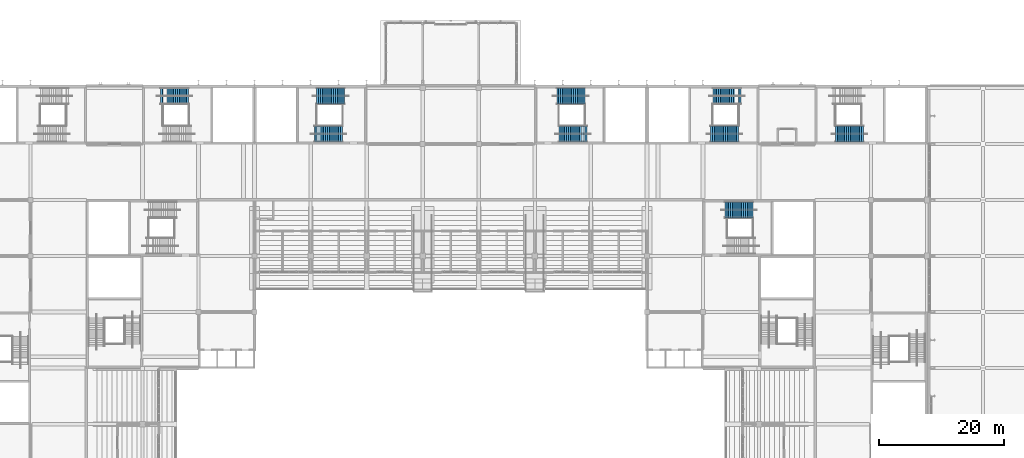
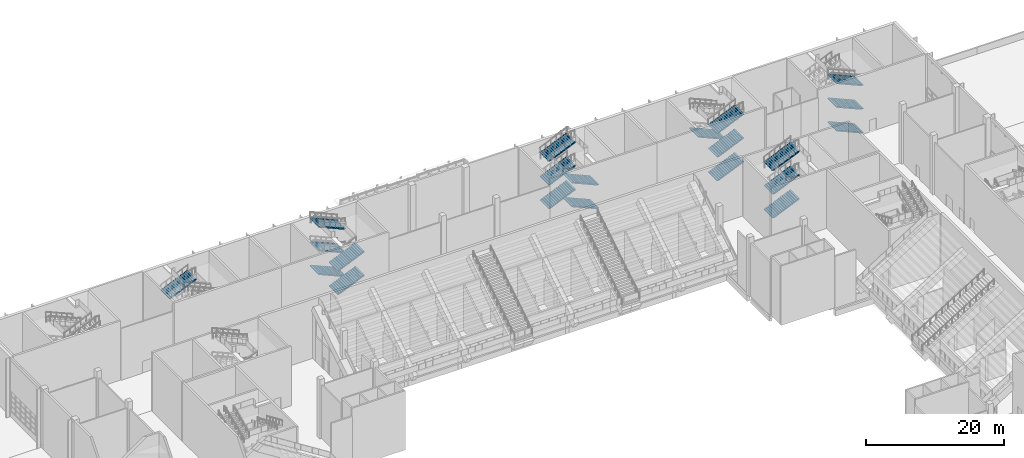
# One storey, part 101 of 182: 21 stair flights, 6 elements without a shape of their own.
"""IFC4 building model written with IfcOpenShell, lengths in metres."""

from ifc_helpers import new_model, si_unit, direction, frame, origin, place, context, subcontext, project, spatial, polyline, outline, extrude, material, type_object, element, aggregate, save


model = new_model("IFC4")

# Units and contexts
model_context = context("Model", 3, precision=1e-05, world=origin(), true_north=direction((0.0, 1.0)))
body_context = subcontext(model_context, "Body", "Model", "MODEL_VIEW")
ifc_project = project(units=[si_unit("LENGTHUNIT", "METRE"), si_unit("AREAUNIT", "SQUARE_METRE"), si_unit("VOLUMEUNIT", "CUBIC_METRE"), si_unit("PLANEANGLEUNIT", "RADIAN"), si_unit("MASSUNIT", "GRAM", prefix="KILO")], contexts=[model_context])

# Site, building, storey
site_placement = place(None, origin())
site = spatial("IfcSite", under=ifc_project, at=site_placement, CompositionType="ELEMENT")
building_placement = place(site_placement, origin())
building = spatial("IfcBuilding", under=site, at=building_placement, Name="Silverbay Arena", CompositionType="ELEMENT")
storey_placement = place(building_placement, frame((0.0, 0.0, 11.5)))
storey = spatial("IfcBuildingStorey", under=building, at=storey_placement, Name="L02", CompositionType="ELEMENT", Elevation=11.5)

# Stair, stair flight
ifc_material_1 = material(Name="Concrete Grade C45", Category="concrete")
stair_type = type_object("IfcStairType", Name="Stair 2600 wide 80 risers 131.2 x 300", PredefinedType="HALF_TURN_STAIR", material=ifc_material_1)
stair_1_placement = place(storey_placement, origin())
stair_1 = element("IfcStair", 1, at=stair_1_placement, inside=storey, type_object=stair_type, Name="Stair ST-N1 L02 to L03", PredefinedType="HALF_TURN_STAIR")
ifc_material_2 = material(Name="Concrete Grade C45", Category="concrete")
stair_flight_type = type_object("IfcStairFlightType", Name="Stair flight 2600 wide 16 risers 131.2 x 300", PredefinedType="STRAIGHT", material=ifc_material_2)
stair_flight_1_placement = place(storey_placement, frame((83.89990234375, 142.699951171875, 6.300048828125), z_axis=(0.0, 0.0, 1.0), x_axis=(1.0, 0.0, 0.0)))
stair_flight_1 = element("IfcStairFlight", 2, at=stair_flight_1_placement, type_object=stair_flight_type, Name="Stair ST-N1 L02 to L03 flight 4", NumberOfRisers=16, NumberOfTreads=15, PredefinedType="STRAIGHT", RiserHeight=0.13125, TreadLength=0.3, context=body_context, shape_type="SweptSolid", body=[
    extrude(outline(polyline([(0.0, 0.0), (0.0, 0.13134765625), (0.300048828125, 0.13134765625), (0.300048828125, 0.262451171875), (0.60009765625, 0.262451171875), (0.60009765625, 0.393798828125), (0.89990234375, 0.393798828125), (0.89990234375, 0.52490234375), (1.199951171875, 0.52490234375), (1.199951171875, 0.65625), (1.5, 0.65625), (1.5, 0.78759765625), (1.800048828125, 0.78759765625), (1.800048828125, 0.918701171875), (2.10009765625, 0.918701171875), (2.10009765625, 1.050048828125), (2.39990234375, 1.050048828125), (2.39990234375, 1.18115234375), (2.699951171875, 1.18115234375), (2.699951171875, 1.3125), (3.0, 1.3125), (3.0, 1.44384765625), (3.300048828125, 1.44384765625), (3.300048828125, 1.574951171875), (3.60009765625, 1.574951171875), (3.60009765625, 1.706298828125), (3.89990234375, 1.706298828125), (3.89990234375, 1.83740234375), (4.199951171875, 1.83740234375), (4.199951171875, 1.96875), (4.5, 1.96875), (4.5, 1.80517578125), (0.3740234375, 0.0), (0.0, 0.0)])), frame((0.0, 1.300048828125, 0.0), z_axis=(0.0, -1.0, 0.0), x_axis=(1.0, 0.0, 0.0)), (0.0, 0.0, 1.0), 2.60009765625),
])
aggregate(stair_1, [stair_flight_1])

# Stair, stair flights
stair_2_placement = place(storey_placement, origin())
stair_2 = element("IfcStair", 3, at=stair_2_placement, inside=storey, type_object=stair_type, Name="Stair ST-N2 L02 to L03", PredefinedType="HALF_TURN_STAIR")
stair_flight_2_placement = place(storey_placement, frame((113.47412109375, 142.699951171875, 0.0), z_axis=(0.0, 0.0, 1.0), x_axis=(-1.0, 0.0, 0.0)))
stair_flight_2 = element("IfcStairFlight", 4, at=stair_flight_2_placement, type_object=stair_flight_type, Name="Stair ST-N2 L02 to L03 flight 1", NumberOfRisers=16, NumberOfTreads=15, PredefinedType="STRAIGHT", RiserHeight=0.13125, TreadLength=0.3, context=body_context, shape_type="SweptSolid", body=[
    extrude(outline(polyline([(0.0, 0.0), (0.0, 0.13134765625), (0.300048828125, 0.13134765625), (0.300048828125, 0.262451171875), (0.60009765625, 0.262451171875), (0.60009765625, 0.393798828125), (0.89990234375, 0.393798828125), (0.89990234375, 0.52490234375), (1.199951171875, 0.52490234375), (1.199951171875, 0.65625), (1.5, 0.65625), (1.5, 0.78759765625), (1.800048828125, 0.78759765625), (1.800048828125, 0.918701171875), (2.10009765625, 0.918701171875), (2.10009765625, 1.050048828125), (2.39990234375, 1.050048828125), (2.39990234375, 1.18115234375), (2.699951171875, 1.18115234375), (2.699951171875, 1.3125), (3.0, 1.3125), (3.0, 1.44384765625), (3.300048828125, 1.44384765625), (3.300048828125, 1.574951171875), (3.60009765625, 1.574951171875), (3.60009765625, 1.706298828125), (3.89990234375, 1.706298828125), (3.89990234375, 1.83740234375), (4.199951171875, 1.83740234375), (4.199951171875, 1.96875), (4.5, 1.96875), (4.5, 1.80517578125), (0.3740234375, 0.0), (0.0, 0.0)])), frame((0.0, 1.300048828125, 0.0), z_axis=(0.0, -1.0, 0.0), x_axis=(1.0, 0.0, 0.0)), (0.0, 0.0, 1.0), 2.60009765625),
])
stair_flight_3_placement = place(storey_placement, frame((108.60009765625, 136.60009765625, 2.10009765625), z_axis=(0.0, 0.0, 1.0), x_axis=(1.0, 0.0, 0.0)))
stair_flight_3 = element("IfcStairFlight", 5, at=stair_flight_3_placement, type_object=stair_flight_type, Name="Stair ST-N2 L02 to L03 flight 2", NumberOfRisers=16, NumberOfTreads=15, PredefinedType="STRAIGHT", RiserHeight=0.13125, TreadLength=0.3, context=body_context, shape_type="SweptSolid", body=[
    extrude(outline(polyline([(0.0, 0.0), (0.0, 0.13134765625), (0.300048828125, 0.13134765625), (0.300048828125, 0.262451171875), (0.60009765625, 0.262451171875), (0.60009765625, 0.393798828125), (0.89990234375, 0.393798828125), (0.89990234375, 0.52490234375), (1.199951171875, 0.52490234375), (1.199951171875, 0.65625), (1.5, 0.65625), (1.5, 0.78759765625), (1.800048828125, 0.78759765625), (1.800048828125, 0.918701171875), (2.10009765625, 0.918701171875), (2.10009765625, 1.050048828125), (2.39990234375, 1.050048828125), (2.39990234375, 1.18115234375), (2.699951171875, 1.18115234375), (2.699951171875, 1.3125), (3.0, 1.3125), (3.0, 1.44384765625), (3.300048828125, 1.44384765625), (3.300048828125, 1.574951171875), (3.60009765625, 1.574951171875), (3.60009765625, 1.706298828125), (3.89990234375, 1.706298828125), (3.89990234375, 1.83740234375), (4.199951171875, 1.83740234375), (4.199951171875, 1.96875), (4.5, 1.96875), (4.5, 1.80517578125), (0.3740234375, 0.0), (0.0, 0.0)])), frame((0.0, 1.300048828125, 0.0), z_axis=(0.0, -1.0, 0.0), x_axis=(1.0, 0.0, 0.0)), (0.0, 0.0, 1.0), 2.60009765625),
])
stair_flight_4_placement = place(storey_placement, frame((113.47412109375, 142.699951171875, 4.199951171875), z_axis=(0.0, 0.0, 1.0), x_axis=(-1.0, 0.0, 0.0)))
stair_flight_4 = element("IfcStairFlight", 6, at=stair_flight_4_placement, type_object=stair_flight_type, Name="Stair ST-N2 L02 to L03 flight 3", NumberOfRisers=16, NumberOfTreads=15, PredefinedType="STRAIGHT", RiserHeight=0.13125, TreadLength=0.3, context=body_context, shape_type="SweptSolid", body=[
    extrude(outline(polyline([(0.0, 0.0), (0.0, 0.13134765625), (0.300048828125, 0.13134765625), (0.300048828125, 0.262451171875), (0.60009765625, 0.262451171875), (0.60009765625, 0.393798828125), (0.89990234375, 0.393798828125), (0.89990234375, 0.52490234375), (1.199951171875, 0.52490234375), (1.199951171875, 0.65625), (1.5, 0.65625), (1.5, 0.78759765625), (1.800048828125, 0.78759765625), (1.800048828125, 0.918701171875), (2.10009765625, 0.918701171875), (2.10009765625, 1.050048828125), (2.39990234375, 1.050048828125), (2.39990234375, 1.18115234375), (2.699951171875, 1.18115234375), (2.699951171875, 1.3125), (3.0, 1.3125), (3.0, 1.44384765625), (3.300048828125, 1.44384765625), (3.300048828125, 1.574951171875), (3.60009765625, 1.574951171875), (3.60009765625, 1.706298828125), (3.89990234375, 1.706298828125), (3.89990234375, 1.83740234375), (4.199951171875, 1.83740234375), (4.199951171875, 1.96875), (4.5, 1.96875), (4.5, 1.80517578125), (0.3740234375, 0.0), (0.0, 0.0)])), frame((0.0, 1.300048828125, 0.0), z_axis=(0.0, -1.0, 0.0), x_axis=(1.0, 0.0, 0.0)), (0.0, 0.0, 1.0), 2.60009765625),
])
stair_flight_5_placement = place(storey_placement, frame((108.60009765625, 136.60009765625, 6.300048828125), z_axis=(0.0, 0.0, 1.0), x_axis=(1.0, 0.0, 0.0)))
stair_flight_5 = element("IfcStairFlight", 7, at=stair_flight_5_placement, type_object=stair_flight_type, Name="Stair ST-N2 L02 to L03 flight 4", NumberOfRisers=16, NumberOfTreads=15, PredefinedType="STRAIGHT", RiserHeight=0.13125, TreadLength=0.3, context=body_context, shape_type="SweptSolid", body=[
    extrude(outline(polyline([(0.0, 0.0), (0.0, 0.13134765625), (0.300048828125, 0.13134765625), (0.300048828125, 0.262451171875), (0.60009765625, 0.262451171875), (0.60009765625, 0.393798828125), (0.89990234375, 0.393798828125), (0.89990234375, 0.52490234375), (1.199951171875, 0.52490234375), (1.199951171875, 0.65625), (1.5, 0.65625), (1.5, 0.78759765625), (1.800048828125, 0.78759765625), (1.800048828125, 0.918701171875), (2.10009765625, 0.918701171875), (2.10009765625, 1.050048828125), (2.39990234375, 1.050048828125), (2.39990234375, 1.18115234375), (2.699951171875, 1.18115234375), (2.699951171875, 1.3125), (3.0, 1.3125), (3.0, 1.44384765625), (3.300048828125, 1.44384765625), (3.300048828125, 1.574951171875), (3.60009765625, 1.574951171875), (3.60009765625, 1.706298828125), (3.89990234375, 1.706298828125), (3.89990234375, 1.83740234375), (4.199951171875, 1.83740234375), (4.199951171875, 1.96875), (4.5, 1.96875), (4.5, 1.80517578125), (0.3740234375, 0.0), (0.0, 0.0)])), frame((0.0, 1.300048828125, 0.0), z_axis=(0.0, -1.0, 0.0), x_axis=(1.0, 0.0, 0.0)), (0.0, 0.0, 1.0), 2.60009765625),
])
stair_flight_6_placement = place(storey_placement, frame((113.47412109375, 142.699951171875, 8.39990234375), z_axis=(0.0, 0.0, 1.0), x_axis=(-1.0, 0.0, 0.0)))
stair_flight_6 = element("IfcStairFlight", 8, at=stair_flight_6_placement, type_object=stair_flight_type, Name="Stair ST-N2 L02 to L03 flight 5", NumberOfRisers=16, NumberOfTreads=15, PredefinedType="STRAIGHT", RiserHeight=0.13125, TreadLength=0.3, context=body_context, shape_type="SweptSolid", body=[
    extrude(outline(polyline([(0.0, 0.0), (0.0, 0.13134765625), (0.300048828125, 0.13134765625), (0.300048828125, 0.262451171875), (0.60009765625, 0.262451171875), (0.60009765625, 0.393798828125), (0.89990234375, 0.393798828125), (0.89990234375, 0.52490234375), (1.199951171875, 0.52490234375), (1.199951171875, 0.65625), (1.5, 0.65625), (1.5, 0.78759765625), (1.800048828125, 0.78759765625), (1.800048828125, 0.918701171875), (2.10009765625, 0.918701171875), (2.10009765625, 1.050048828125), (2.39990234375, 1.050048828125), (2.39990234375, 1.18115234375), (2.699951171875, 1.18115234375), (2.699951171875, 1.3125), (3.0, 1.3125), (3.0, 1.44384765625), (3.300048828125, 1.44384765625), (3.300048828125, 1.574951171875), (3.60009765625, 1.574951171875), (3.60009765625, 1.706298828125), (3.89990234375, 1.706298828125), (3.89990234375, 1.83740234375), (4.199951171875, 1.83740234375), (4.199951171875, 1.96875), (4.5, 1.96875), (4.5, 1.80517578125), (0.3740234375, 0.0), (0.0, 0.0)])), frame((0.0, 1.300048828125, 0.0), z_axis=(0.0, -1.0, 0.0), x_axis=(1.0, 0.0, 0.0)), (0.0, 0.0, 1.0), 2.60009765625),
])
aggregate(stair_2, [stair_flight_2, stair_flight_3, stair_flight_4, stair_flight_5, stair_flight_6])

stair_3_placement = place(storey_placement, origin())
stair_3 = element("IfcStair", 9, at=stair_3_placement, inside=storey, type_object=stair_type, Name="Stair ST-N3 L02 to L03", PredefinedType="HALF_TURN_STAIR")
stair_flight_7_placement = place(storey_placement, frame((147.52587890625, 142.699951171875, 0.0), z_axis=(0.0, 0.0, 1.0), x_axis=(1.0, 0.0, 0.0)))
stair_flight_7 = element("IfcStairFlight", 10, at=stair_flight_7_placement, type_object=stair_flight_type, Name="Stair ST-N3 L02 to L03 flight 1", NumberOfRisers=16, NumberOfTreads=15, PredefinedType="STRAIGHT", RiserHeight=0.13125, TreadLength=0.3, context=body_context, shape_type="SweptSolid", body=[
    extrude(outline(polyline([(0.0, 0.0), (0.0, 0.13134765625), (0.300048828125, 0.13134765625), (0.300048828125, 0.262451171875), (0.60009765625, 0.262451171875), (0.60009765625, 0.393798828125), (0.89990234375, 0.393798828125), (0.89990234375, 0.52490234375), (1.199951171875, 0.52490234375), (1.199951171875, 0.65625), (1.5, 0.65625), (1.5, 0.78759765625), (1.800048828125, 0.78759765625), (1.800048828125, 0.918701171875), (2.10009765625, 0.918701171875), (2.10009765625, 1.050048828125), (2.39990234375, 1.050048828125), (2.39990234375, 1.18115234375), (2.699951171875, 1.18115234375), (2.699951171875, 1.3125), (3.0, 1.3125), (3.0, 1.44384765625), (3.300048828125, 1.44384765625), (3.300048828125, 1.574951171875), (3.60009765625, 1.574951171875), (3.60009765625, 1.706298828125), (3.89990234375, 1.706298828125), (3.89990234375, 1.83740234375), (4.199951171875, 1.83740234375), (4.199951171875, 1.96875), (4.5, 1.96875), (4.5, 1.80517578125), (0.3740234375, 0.0), (0.0, 0.0)])), frame((0.0, 1.300048828125, 0.0), z_axis=(0.0, -1.0, 0.0), x_axis=(1.0, 0.0, 0.0)), (0.0, 0.0, 1.0), 2.60009765625),
])
stair_flight_8_placement = place(storey_placement, frame((152.39990234375, 136.60009765625, 2.10009765625), z_axis=(0.0, 0.0, 1.0), x_axis=(-1.0, 0.0, 0.0)))
stair_flight_8 = element("IfcStairFlight", 11, at=stair_flight_8_placement, type_object=stair_flight_type, Name="Stair ST-N3 L02 to L03 flight 2", NumberOfRisers=16, NumberOfTreads=15, PredefinedType="STRAIGHT", RiserHeight=0.13125, TreadLength=0.3, context=body_context, shape_type="SweptSolid", body=[
    extrude(outline(polyline([(0.0, 0.0), (0.0, 0.13134765625), (0.300048828125, 0.13134765625), (0.300048828125, 0.262451171875), (0.60009765625, 0.262451171875), (0.60009765625, 0.393798828125), (0.89990234375, 0.393798828125), (0.89990234375, 0.52490234375), (1.199951171875, 0.52490234375), (1.199951171875, 0.65625), (1.5, 0.65625), (1.5, 0.78759765625), (1.800048828125, 0.78759765625), (1.800048828125, 0.918701171875), (2.10009765625, 0.918701171875), (2.10009765625, 1.050048828125), (2.39990234375, 1.050048828125), (2.39990234375, 1.18115234375), (2.699951171875, 1.18115234375), (2.699951171875, 1.3125), (3.0, 1.3125), (3.0, 1.44384765625), (3.300048828125, 1.44384765625), (3.300048828125, 1.574951171875), (3.60009765625, 1.574951171875), (3.60009765625, 1.706298828125), (3.89990234375, 1.706298828125), (3.89990234375, 1.83740234375), (4.199951171875, 1.83740234375), (4.199951171875, 1.96875), (4.5, 1.96875), (4.5, 1.80517578125), (0.3740234375, 0.0), (0.0, 0.0)])), frame((0.0, 1.300048828125, 0.0), z_axis=(0.0, -1.0, 0.0), x_axis=(1.0, 0.0, 0.0)), (0.0, 0.0, 1.0), 2.60009765625),
])
stair_flight_9_placement = place(storey_placement, frame((147.52587890625, 142.699951171875, 4.199951171875), z_axis=(0.0, 0.0, 1.0), x_axis=(1.0, 0.0, 0.0)))
stair_flight_9 = element("IfcStairFlight", 12, at=stair_flight_9_placement, type_object=stair_flight_type, Name="Stair ST-N3 L02 to L03 flight 3", NumberOfRisers=16, NumberOfTreads=15, PredefinedType="STRAIGHT", RiserHeight=0.13125, TreadLength=0.3, context=body_context, shape_type="SweptSolid", body=[
    extrude(outline(polyline([(0.0, 0.0), (0.0, 0.13134765625), (0.300048828125, 0.13134765625), (0.300048828125, 0.262451171875), (0.60009765625, 0.262451171875), (0.60009765625, 0.393798828125), (0.89990234375, 0.393798828125), (0.89990234375, 0.52490234375), (1.199951171875, 0.52490234375), (1.199951171875, 0.65625), (1.5, 0.65625), (1.5, 0.78759765625), (1.800048828125, 0.78759765625), (1.800048828125, 0.918701171875), (2.10009765625, 0.918701171875), (2.10009765625, 1.050048828125), (2.39990234375, 1.050048828125), (2.39990234375, 1.18115234375), (2.699951171875, 1.18115234375), (2.699951171875, 1.3125), (3.0, 1.3125), (3.0, 1.44384765625), (3.300048828125, 1.44384765625), (3.300048828125, 1.574951171875), (3.60009765625, 1.574951171875), (3.60009765625, 1.706298828125), (3.89990234375, 1.706298828125), (3.89990234375, 1.83740234375), (4.199951171875, 1.83740234375), (4.199951171875, 1.96875), (4.5, 1.96875), (4.5, 1.80517578125), (0.3740234375, 0.0), (0.0, 0.0)])), frame((0.0, 1.300048828125, 0.0), z_axis=(0.0, -1.0, 0.0), x_axis=(1.0, 0.0, 0.0)), (0.0, 0.0, 1.0), 2.60009765625),
])
stair_flight_10_placement = place(storey_placement, frame((152.39990234375, 136.60009765625, 6.300048828125), z_axis=(0.0, 0.0, 1.0), x_axis=(-1.0, 0.0, 0.0)))
stair_flight_10 = element("IfcStairFlight", 13, at=stair_flight_10_placement, type_object=stair_flight_type, Name="Stair ST-N3 L02 to L03 flight 4", NumberOfRisers=16, NumberOfTreads=15, PredefinedType="STRAIGHT", RiserHeight=0.13125, TreadLength=0.3, context=body_context, shape_type="SweptSolid", body=[
    extrude(outline(polyline([(0.0, 0.0), (0.0, 0.13134765625), (0.300048828125, 0.13134765625), (0.300048828125, 0.262451171875), (0.60009765625, 0.262451171875), (0.60009765625, 0.393798828125), (0.89990234375, 0.393798828125), (0.89990234375, 0.52490234375), (1.199951171875, 0.52490234375), (1.199951171875, 0.65625), (1.5, 0.65625), (1.5, 0.78759765625), (1.800048828125, 0.78759765625), (1.800048828125, 0.918701171875), (2.10009765625, 0.918701171875), (2.10009765625, 1.050048828125), (2.39990234375, 1.050048828125), (2.39990234375, 1.18115234375), (2.699951171875, 1.18115234375), (2.699951171875, 1.3125), (3.0, 1.3125), (3.0, 1.44384765625), (3.300048828125, 1.44384765625), (3.300048828125, 1.574951171875), (3.60009765625, 1.574951171875), (3.60009765625, 1.706298828125), (3.89990234375, 1.706298828125), (3.89990234375, 1.83740234375), (4.199951171875, 1.83740234375), (4.199951171875, 1.96875), (4.5, 1.96875), (4.5, 1.80517578125), (0.3740234375, 0.0), (0.0, 0.0)])), frame((0.0, 1.300048828125, 0.0), z_axis=(0.0, -1.0, 0.0), x_axis=(1.0, 0.0, 0.0)), (0.0, 0.0, 1.0), 2.60009765625),
])
stair_flight_11_placement = place(storey_placement, frame((147.52587890625, 142.699951171875, 8.39990234375), z_axis=(0.0, 0.0, 1.0), x_axis=(1.0, 0.0, 0.0)))
stair_flight_11 = element("IfcStairFlight", 14, at=stair_flight_11_placement, type_object=stair_flight_type, Name="Stair ST-N3 L02 to L03 flight 5", NumberOfRisers=16, NumberOfTreads=15, PredefinedType="STRAIGHT", RiserHeight=0.13125, TreadLength=0.3, context=body_context, shape_type="SweptSolid", body=[
    extrude(outline(polyline([(0.0, 0.0), (0.0, 0.13134765625), (0.300048828125, 0.13134765625), (0.300048828125, 0.262451171875), (0.60009765625, 0.262451171875), (0.60009765625, 0.393798828125), (0.89990234375, 0.393798828125), (0.89990234375, 0.52490234375), (1.199951171875, 0.52490234375), (1.199951171875, 0.65625), (1.5, 0.65625), (1.5, 0.78759765625), (1.800048828125, 0.78759765625), (1.800048828125, 0.918701171875), (2.10009765625, 0.918701171875), (2.10009765625, 1.050048828125), (2.39990234375, 1.050048828125), (2.39990234375, 1.18115234375), (2.699951171875, 1.18115234375), (2.699951171875, 1.3125), (3.0, 1.3125), (3.0, 1.44384765625), (3.300048828125, 1.44384765625), (3.300048828125, 1.574951171875), (3.60009765625, 1.574951171875), (3.60009765625, 1.706298828125), (3.89990234375, 1.706298828125), (3.89990234375, 1.83740234375), (4.199951171875, 1.83740234375), (4.199951171875, 1.96875), (4.5, 1.96875), (4.5, 1.80517578125), (0.3740234375, 0.0), (0.0, 0.0)])), frame((0.0, 1.300048828125, 0.0), z_axis=(0.0, -1.0, 0.0), x_axis=(1.0, 0.0, 0.0)), (0.0, 0.0, 1.0), 2.60009765625),
])
aggregate(stair_3, [stair_flight_7, stair_flight_8, stair_flight_9, stair_flight_10, stair_flight_11])

stair_4_placement = place(storey_placement, origin())
stair_4 = element("IfcStair", 15, at=stair_4_placement, inside=storey, type_object=stair_type, Name="Stair ST-N4 L02 to L03", PredefinedType="HALF_TURN_STAIR")
stair_flight_12_placement = place(storey_placement, frame((172.225830078125, 136.60009765625, 0.0), z_axis=(0.0, 0.0, 1.0), x_axis=(1.0, 0.0, 0.0)))
stair_flight_12 = element("IfcStairFlight", 16, at=stair_flight_12_placement, type_object=stair_flight_type, Name="Stair ST-N4 L02 to L03 flight 1", NumberOfRisers=16, NumberOfTreads=15, PredefinedType="STRAIGHT", RiserHeight=0.13125, TreadLength=0.3, context=body_context, shape_type="SweptSolid", body=[
    extrude(outline(polyline([(0.0, 0.0), (0.0, 0.13134765625), (0.300048828125, 0.13134765625), (0.300048828125, 0.262451171875), (0.60009765625, 0.262451171875), (0.60009765625, 0.393798828125), (0.89990234375, 0.393798828125), (0.89990234375, 0.52490234375), (1.199951171875, 0.52490234375), (1.199951171875, 0.65625), (1.5, 0.65625), (1.5, 0.78759765625), (1.800048828125, 0.78759765625), (1.800048828125, 0.918701171875), (2.10009765625, 0.918701171875), (2.10009765625, 1.050048828125), (2.39990234375, 1.050048828125), (2.39990234375, 1.18115234375), (2.699951171875, 1.18115234375), (2.699951171875, 1.3125), (3.0, 1.3125), (3.0, 1.44384765625), (3.300048828125, 1.44384765625), (3.300048828125, 1.574951171875), (3.60009765625, 1.574951171875), (3.60009765625, 1.706298828125), (3.89990234375, 1.706298828125), (3.89990234375, 1.83740234375), (4.199951171875, 1.83740234375), (4.199951171875, 1.96875), (4.5, 1.96875), (4.5, 1.80517578125), (0.3740234375, 0.0), (0.0, 0.0)])), frame((0.0, 1.300048828125, 0.0), z_axis=(0.0, -1.0, 0.0), x_axis=(1.0, 0.0, 0.0)), (0.0, 0.0, 1.0), 2.60009765625),
])
stair_flight_13_placement = place(storey_placement, frame((177.10009765625, 142.699951171875, 2.10009765625), z_axis=(0.0, 0.0, 1.0), x_axis=(-1.0, 0.0, 0.0)))
stair_flight_13 = element("IfcStairFlight", 17, at=stair_flight_13_placement, type_object=stair_flight_type, Name="Stair ST-N4 L02 to L03 flight 2", NumberOfRisers=16, NumberOfTreads=15, PredefinedType="STRAIGHT", RiserHeight=0.13125, TreadLength=0.3, context=body_context, shape_type="SweptSolid", body=[
    extrude(outline(polyline([(0.0, 0.0), (0.0, 0.13134765625), (0.300048828125, 0.13134765625), (0.300048828125, 0.262451171875), (0.60009765625, 0.262451171875), (0.60009765625, 0.393798828125), (0.89990234375, 0.393798828125), (0.89990234375, 0.52490234375), (1.199951171875, 0.52490234375), (1.199951171875, 0.65625), (1.5, 0.65625), (1.5, 0.78759765625), (1.800048828125, 0.78759765625), (1.800048828125, 0.918701171875), (2.10009765625, 0.918701171875), (2.10009765625, 1.050048828125), (2.39990234375, 1.050048828125), (2.39990234375, 1.18115234375), (2.699951171875, 1.18115234375), (2.699951171875, 1.3125), (3.0, 1.3125), (3.0, 1.44384765625), (3.300048828125, 1.44384765625), (3.300048828125, 1.574951171875), (3.60009765625, 1.574951171875), (3.60009765625, 1.706298828125), (3.89990234375, 1.706298828125), (3.89990234375, 1.83740234375), (4.199951171875, 1.83740234375), (4.199951171875, 1.96875), (4.5, 1.96875), (4.5, 1.80517578125), (0.3740234375, 0.0), (0.0, 0.0)])), frame((0.0, 1.300048828125, 0.0), z_axis=(0.0, -1.0, 0.0), x_axis=(1.0, 0.0, 0.0)), (0.0, 0.0, 1.0), 2.60009765625),
])
stair_flight_14_placement = place(storey_placement, frame((172.225830078125, 136.60009765625, 4.199951171875), z_axis=(0.0, 0.0, 1.0), x_axis=(1.0, 0.0, 0.0)))
stair_flight_14 = element("IfcStairFlight", 18, at=stair_flight_14_placement, type_object=stair_flight_type, Name="Stair ST-N4 L02 to L03 flight 3", NumberOfRisers=16, NumberOfTreads=15, PredefinedType="STRAIGHT", RiserHeight=0.13125, TreadLength=0.3, context=body_context, shape_type="SweptSolid", body=[
    extrude(outline(polyline([(0.0, 0.0), (0.0, 0.13134765625), (0.300048828125, 0.13134765625), (0.300048828125, 0.262451171875), (0.60009765625, 0.262451171875), (0.60009765625, 0.393798828125), (0.89990234375, 0.393798828125), (0.89990234375, 0.52490234375), (1.199951171875, 0.52490234375), (1.199951171875, 0.65625), (1.5, 0.65625), (1.5, 0.78759765625), (1.800048828125, 0.78759765625), (1.800048828125, 0.918701171875), (2.10009765625, 0.918701171875), (2.10009765625, 1.050048828125), (2.39990234375, 1.050048828125), (2.39990234375, 1.18115234375), (2.699951171875, 1.18115234375), (2.699951171875, 1.3125), (3.0, 1.3125), (3.0, 1.44384765625), (3.300048828125, 1.44384765625), (3.300048828125, 1.574951171875), (3.60009765625, 1.574951171875), (3.60009765625, 1.706298828125), (3.89990234375, 1.706298828125), (3.89990234375, 1.83740234375), (4.199951171875, 1.83740234375), (4.199951171875, 1.96875), (4.5, 1.96875), (4.5, 1.80517578125), (0.3740234375, 0.0), (0.0, 0.0)])), frame((0.0, 1.300048828125, 0.0), z_axis=(0.0, -1.0, 0.0), x_axis=(1.0, 0.0, 0.0)), (0.0, 0.0, 1.0), 2.60009765625),
])
stair_flight_15_placement = place(storey_placement, frame((172.225830078125, 136.60009765625, 8.39990234375), z_axis=(0.0, 0.0, 1.0), x_axis=(1.0, 0.0, 0.0)))
stair_flight_15 = element("IfcStairFlight", 19, at=stair_flight_15_placement, type_object=stair_flight_type, Name="Stair ST-N4 L02 to L03 flight 5", NumberOfRisers=16, NumberOfTreads=15, PredefinedType="STRAIGHT", RiserHeight=0.13125, TreadLength=0.3, context=body_context, shape_type="SweptSolid", body=[
    extrude(outline(polyline([(0.0, 0.0), (0.0, 0.13134765625), (0.300048828125, 0.13134765625), (0.300048828125, 0.262451171875), (0.60009765625, 0.262451171875), (0.60009765625, 0.393798828125), (0.89990234375, 0.393798828125), (0.89990234375, 0.52490234375), (1.199951171875, 0.52490234375), (1.199951171875, 0.65625), (1.5, 0.65625), (1.5, 0.78759765625), (1.800048828125, 0.78759765625), (1.800048828125, 0.918701171875), (2.10009765625, 0.918701171875), (2.10009765625, 1.050048828125), (2.39990234375, 1.050048828125), (2.39990234375, 1.18115234375), (2.699951171875, 1.18115234375), (2.699951171875, 1.3125), (3.0, 1.3125), (3.0, 1.44384765625), (3.300048828125, 1.44384765625), (3.300048828125, 1.574951171875), (3.60009765625, 1.574951171875), (3.60009765625, 1.706298828125), (3.89990234375, 1.706298828125), (3.89990234375, 1.83740234375), (4.199951171875, 1.83740234375), (4.199951171875, 1.96875), (4.5, 1.96875), (4.5, 1.80517578125), (0.3740234375, 0.0), (0.0, 0.0)])), frame((0.0, 1.300048828125, 0.0), z_axis=(0.0, -1.0, 0.0), x_axis=(1.0, 0.0, 0.0)), (0.0, 0.0, 1.0), 2.60009765625),
])
aggregate(stair_4, [stair_flight_12, stair_flight_13, stair_flight_14, stair_flight_15])

stair_5_placement = place(storey_placement, origin())
stair_5 = element("IfcStair", 20, at=stair_5_placement, inside=storey, type_object=stair_type, Name="Stair ST-N6 L02 to L03", PredefinedType="HALF_TURN_STAIR")
stair_flight_16_placement = place(storey_placement, frame((196.774169921875, 136.60009765625, 0.0), z_axis=(0.0, 0.0, 1.0), x_axis=(-1.0, 0.0, 0.0)))
stair_flight_16 = element("IfcStairFlight", 21, at=stair_flight_16_placement, type_object=stair_flight_type, Name="Stair ST-N6 L02 to L03 flight 1", NumberOfRisers=16, NumberOfTreads=15, PredefinedType="STRAIGHT", RiserHeight=0.13125, TreadLength=0.3, context=body_context, shape_type="SweptSolid", body=[
    extrude(outline(polyline([(0.0, 0.0), (0.0, 0.13134765625), (0.300048828125, 0.13134765625), (0.300048828125, 0.262451171875), (0.60009765625, 0.262451171875), (0.60009765625, 0.393798828125), (0.89990234375, 0.393798828125), (0.89990234375, 0.52490234375), (1.199951171875, 0.52490234375), (1.199951171875, 0.65625), (1.5, 0.65625), (1.5, 0.78759765625), (1.800048828125, 0.78759765625), (1.800048828125, 0.918701171875), (2.10009765625, 0.918701171875), (2.10009765625, 1.050048828125), (2.39990234375, 1.050048828125), (2.39990234375, 1.18115234375), (2.699951171875, 1.18115234375), (2.699951171875, 1.3125), (3.0, 1.3125), (3.0, 1.44384765625), (3.300048828125, 1.44384765625), (3.300048828125, 1.574951171875), (3.60009765625, 1.574951171875), (3.60009765625, 1.706298828125), (3.89990234375, 1.706298828125), (3.89990234375, 1.83740234375), (4.199951171875, 1.83740234375), (4.199951171875, 1.96875), (4.5, 1.96875), (4.5, 1.80517578125), (0.3740234375, 0.0), (0.0, 0.0)])), frame((0.0, 1.300048828125, 0.0), z_axis=(0.0, -1.0, 0.0), x_axis=(1.0, 0.0, 0.0)), (0.0, 0.0, 1.0), 2.60009765625),
])
stair_flight_17_placement = place(storey_placement, frame((196.774169921875, 136.60009765625, 4.199951171875), z_axis=(0.0, 0.0, 1.0), x_axis=(-1.0, 0.0, 0.0)))
stair_flight_17 = element("IfcStairFlight", 22, at=stair_flight_17_placement, type_object=stair_flight_type, Name="Stair ST-N6 L02 to L03 flight 3", NumberOfRisers=16, NumberOfTreads=15, PredefinedType="STRAIGHT", RiserHeight=0.13125, TreadLength=0.3, context=body_context, shape_type="SweptSolid", body=[
    extrude(outline(polyline([(0.0, 0.0), (0.0, 0.13134765625), (0.300048828125, 0.13134765625), (0.300048828125, 0.262451171875), (0.60009765625, 0.262451171875), (0.60009765625, 0.393798828125), (0.89990234375, 0.393798828125), (0.89990234375, 0.52490234375), (1.199951171875, 0.52490234375), (1.199951171875, 0.65625), (1.5, 0.65625), (1.5, 0.78759765625), (1.800048828125, 0.78759765625), (1.800048828125, 0.918701171875), (2.10009765625, 0.918701171875), (2.10009765625, 1.050048828125), (2.39990234375, 1.050048828125), (2.39990234375, 1.18115234375), (2.699951171875, 1.18115234375), (2.699951171875, 1.3125), (3.0, 1.3125), (3.0, 1.44384765625), (3.300048828125, 1.44384765625), (3.300048828125, 1.574951171875), (3.60009765625, 1.574951171875), (3.60009765625, 1.706298828125), (3.89990234375, 1.706298828125), (3.89990234375, 1.83740234375), (4.199951171875, 1.83740234375), (4.199951171875, 1.96875), (4.5, 1.96875), (4.5, 1.80517578125), (0.3740234375, 0.0), (0.0, 0.0)])), frame((0.0, 1.300048828125, 0.0), z_axis=(0.0, -1.0, 0.0), x_axis=(1.0, 0.0, 0.0)), (0.0, 0.0, 1.0), 2.60009765625),
])
stair_flight_18_placement = place(storey_placement, frame((196.774169921875, 136.60009765625, 8.39990234375), z_axis=(0.0, 0.0, 1.0), x_axis=(-1.0, 0.0, 0.0)))
stair_flight_18 = element("IfcStairFlight", 23, at=stair_flight_18_placement, type_object=stair_flight_type, Name="Stair ST-N6 L02 to L03 flight 5", NumberOfRisers=16, NumberOfTreads=15, PredefinedType="STRAIGHT", RiserHeight=0.13125, TreadLength=0.3, context=body_context, shape_type="SweptSolid", body=[
    extrude(outline(polyline([(0.0, 0.0), (0.0, 0.13134765625), (0.300048828125, 0.13134765625), (0.300048828125, 0.262451171875), (0.60009765625, 0.262451171875), (0.60009765625, 0.393798828125), (0.89990234375, 0.393798828125), (0.89990234375, 0.52490234375), (1.199951171875, 0.52490234375), (1.199951171875, 0.65625), (1.5, 0.65625), (1.5, 0.78759765625), (1.800048828125, 0.78759765625), (1.800048828125, 0.918701171875), (2.10009765625, 0.918701171875), (2.10009765625, 1.050048828125), (2.39990234375, 1.050048828125), (2.39990234375, 1.18115234375), (2.699951171875, 1.18115234375), (2.699951171875, 1.3125), (3.0, 1.3125), (3.0, 1.44384765625), (3.300048828125, 1.44384765625), (3.300048828125, 1.574951171875), (3.60009765625, 1.574951171875), (3.60009765625, 1.706298828125), (3.89990234375, 1.706298828125), (3.89990234375, 1.83740234375), (4.199951171875, 1.83740234375), (4.199951171875, 1.96875), (4.5, 1.96875), (4.5, 1.80517578125), (0.3740234375, 0.0), (0.0, 0.0)])), frame((0.0, 1.300048828125, 0.0), z_axis=(0.0, -1.0, 0.0), x_axis=(1.0, 0.0, 0.0)), (0.0, 0.0, 1.0), 2.60009765625),
])
aggregate(stair_5, [stair_flight_16, stair_flight_17, stair_flight_18])

stair_6_placement = place(storey_placement, origin())
stair_6 = element("IfcStair", 24, at=stair_6_placement, inside=storey, type_object=stair_type, Name="Stair ST-NE1 L02 to L03", PredefinedType="HALF_TURN_STAIR")
stair_flight_19_placement = place(storey_placement, frame((174.52587890625, 124.39990234375, 0.0), z_axis=(0.0, 0.0, 1.0), x_axis=(1.0, 0.0, 0.0)))
stair_flight_19 = element("IfcStairFlight", 25, at=stair_flight_19_placement, type_object=stair_flight_type, Name="Stair ST-NE1 L02 to L03 flight 1", NumberOfRisers=16, NumberOfTreads=15, PredefinedType="STRAIGHT", RiserHeight=0.13125, TreadLength=0.3, context=body_context, shape_type="SweptSolid", body=[
    extrude(outline(polyline([(0.0, 0.0), (0.0, 0.13134765625), (0.300048828125, 0.13134765625), (0.300048828125, 0.262451171875), (0.60009765625, 0.262451171875), (0.60009765625, 0.393798828125), (0.89990234375, 0.393798828125), (0.89990234375, 0.52490234375), (1.199951171875, 0.52490234375), (1.199951171875, 0.65625), (1.5, 0.65625), (1.5, 0.78759765625), (1.800048828125, 0.78759765625), (1.800048828125, 0.918701171875), (2.10009765625, 0.918701171875), (2.10009765625, 1.050048828125), (2.39990234375, 1.050048828125), (2.39990234375, 1.18115234375), (2.699951171875, 1.18115234375), (2.699951171875, 1.3125), (3.0, 1.3125), (3.0, 1.44384765625), (3.300048828125, 1.44384765625), (3.300048828125, 1.574951171875), (3.60009765625, 1.574951171875), (3.60009765625, 1.706298828125), (3.89990234375, 1.706298828125), (3.89990234375, 1.83740234375), (4.199951171875, 1.83740234375), (4.199951171875, 1.96875), (4.5, 1.96875), (4.5, 1.80517578125), (0.3740234375, 0.0), (0.0, 0.0)])), frame((0.0, 1.300048828125, 0.0), z_axis=(0.0, -1.0, 0.0), x_axis=(1.0, 0.0, 0.0)), (0.0, 0.0, 1.0), 2.60009765625),
])
stair_flight_20_placement = place(storey_placement, frame((174.52587890625, 124.39990234375, 4.199951171875), z_axis=(0.0, 0.0, 1.0), x_axis=(1.0, 0.0, 0.0)))
stair_flight_20 = element("IfcStairFlight", 26, at=stair_flight_20_placement, type_object=stair_flight_type, Name="Stair ST-NE1 L02 to L03 flight 3", NumberOfRisers=16, NumberOfTreads=15, PredefinedType="STRAIGHT", RiserHeight=0.13125, TreadLength=0.3, context=body_context, shape_type="SweptSolid", body=[
    extrude(outline(polyline([(0.0, 0.0), (0.0, 0.13134765625), (0.300048828125, 0.13134765625), (0.300048828125, 0.262451171875), (0.60009765625, 0.262451171875), (0.60009765625, 0.393798828125), (0.89990234375, 0.393798828125), (0.89990234375, 0.52490234375), (1.199951171875, 0.52490234375), (1.199951171875, 0.65625), (1.5, 0.65625), (1.5, 0.78759765625), (1.800048828125, 0.78759765625), (1.800048828125, 0.918701171875), (2.10009765625, 0.918701171875), (2.10009765625, 1.050048828125), (2.39990234375, 1.050048828125), (2.39990234375, 1.18115234375), (2.699951171875, 1.18115234375), (2.699951171875, 1.3125), (3.0, 1.3125), (3.0, 1.44384765625), (3.300048828125, 1.44384765625), (3.300048828125, 1.574951171875), (3.60009765625, 1.574951171875), (3.60009765625, 1.706298828125), (3.89990234375, 1.706298828125), (3.89990234375, 1.83740234375), (4.199951171875, 1.83740234375), (4.199951171875, 1.96875), (4.5, 1.96875), (4.5, 1.80517578125), (0.3740234375, 0.0), (0.0, 0.0)])), frame((0.0, 1.300048828125, 0.0), z_axis=(0.0, -1.0, 0.0), x_axis=(1.0, 0.0, 0.0)), (0.0, 0.0, 1.0), 2.60009765625),
])
stair_flight_21_placement = place(storey_placement, frame((174.52587890625, 124.39990234375, 8.39990234375), z_axis=(0.0, 0.0, 1.0), x_axis=(1.0, 0.0, 0.0)))
stair_flight_21 = element("IfcStairFlight", 27, at=stair_flight_21_placement, type_object=stair_flight_type, Name="Stair ST-NE1 L02 to L03 flight 5", NumberOfRisers=16, NumberOfTreads=15, PredefinedType="STRAIGHT", RiserHeight=0.13125, TreadLength=0.3, context=body_context, shape_type="SweptSolid", body=[
    extrude(outline(polyline([(0.0, 0.0), (0.0, 0.13134765625), (0.300048828125, 0.13134765625), (0.300048828125, 0.262451171875), (0.60009765625, 0.262451171875), (0.60009765625, 0.393798828125), (0.89990234375, 0.393798828125), (0.89990234375, 0.52490234375), (1.199951171875, 0.52490234375), (1.199951171875, 0.65625), (1.5, 0.65625), (1.5, 0.78759765625), (1.800048828125, 0.78759765625), (1.800048828125, 0.918701171875), (2.10009765625, 0.918701171875), (2.10009765625, 1.050048828125), (2.39990234375, 1.050048828125), (2.39990234375, 1.18115234375), (2.699951171875, 1.18115234375), (2.699951171875, 1.3125), (3.0, 1.3125), (3.0, 1.44384765625), (3.300048828125, 1.44384765625), (3.300048828125, 1.574951171875), (3.60009765625, 1.574951171875), (3.60009765625, 1.706298828125), (3.89990234375, 1.706298828125), (3.89990234375, 1.83740234375), (4.199951171875, 1.83740234375), (4.199951171875, 1.96875), (4.5, 1.96875), (4.5, 1.80517578125), (0.3740234375, 0.0), (0.0, 0.0)])), frame((0.0, 1.300048828125, 0.0), z_axis=(0.0, -1.0, 0.0), x_axis=(1.0, 0.0, 0.0)), (0.0, 0.0, 1.0), 2.60009765625),
])
aggregate(stair_6, [stair_flight_19, stair_flight_20, stair_flight_21])

save(model, "model.ifc")
